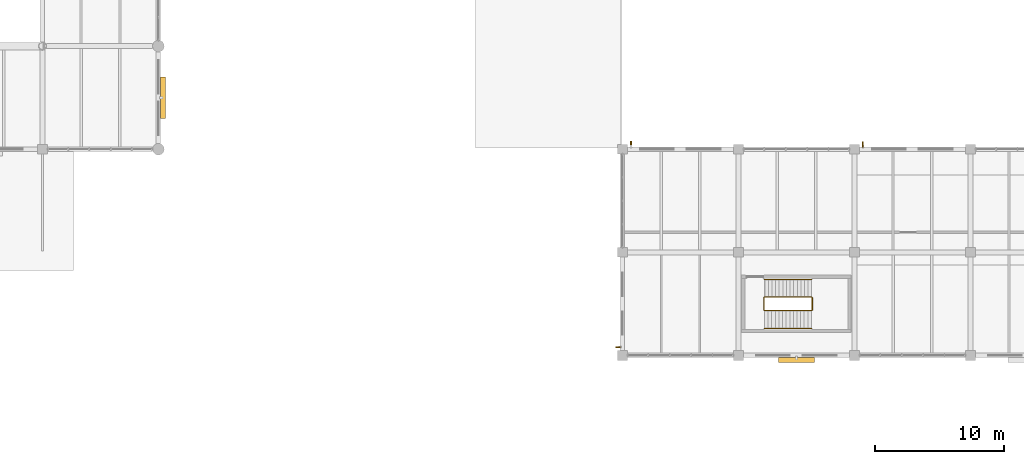
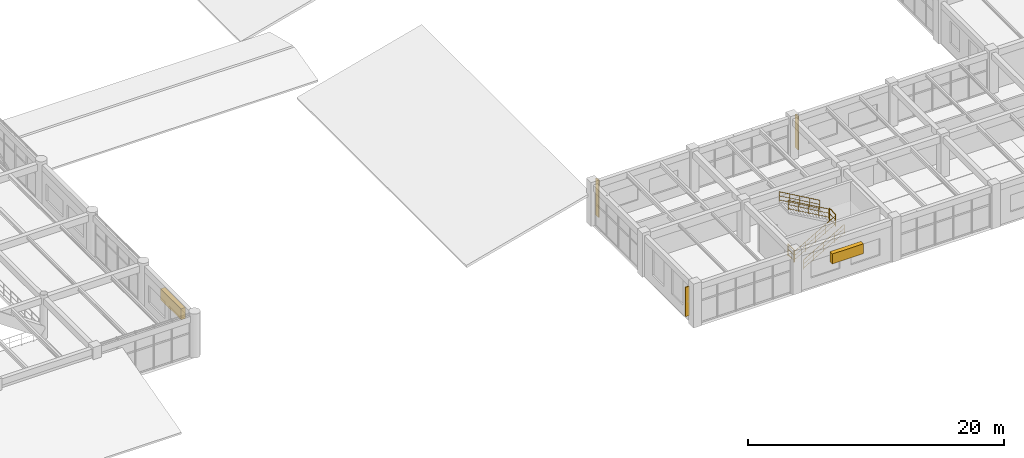
# One storey, part 140 of 148: 6 railings, 5 shading devices.
"""IFC4 building model written with IfcOpenShell, lengths in metres."""

from ifc_helpers import new_model, si_unit, derived_unit, direction, frame, origin, origin_2d, place, context, subcontext, project, spatial, rectangle, circle, extrude, material, type_object, element, save


model = new_model("IFC4")

# Units and contexts
model_context = context("Model", 3, precision=1e-05, world=origin(), true_north=direction((0.0, 1.0)))
body_context = subcontext(model_context, "Body", "Model", "MODEL_VIEW")
ifc_project = project(units=[si_unit("LENGTHUNIT", "METRE"), si_unit("AREAUNIT", "SQUARE_METRE"), si_unit("VOLUMEUNIT", "CUBIC_METRE"), si_unit("PLANEANGLEUNIT", "RADIAN"), si_unit("MASSUNIT", "GRAM", prefix="KILO"), derived_unit("THERMALTRANSMITTANCEUNIT", [(si_unit("MASSUNIT", "GRAM", prefix="KILO"), 1), (si_unit("TIMEUNIT", "SECOND"), -3), (si_unit("THERMODYNAMICTEMPERATUREUNIT", "KELVIN"), -1)])], contexts=[model_context])

# Site, building, storey
site_placement = place(None, origin())
site = spatial("IfcSite", under=ifc_project, at=site_placement, CompositionType="ELEMENT")
building_placement = place(site_placement, origin())
building = spatial("IfcBuilding", under=site, at=building_placement, Name="Zhenchuan Archway Interchange", CompositionType="ELEMENT")
storey_placement = place(building_placement, frame((0.0, 0.0, 10.199951171875)))
storey = spatial("IfcBuildingStorey", under=building, at=storey_placement, Name="L02", CompositionType="ELEMENT", Elevation=10.199951171875)

# Railings
ifc_material_1 = material(Name="Painted Galvanised Steel", Category="steel")
railing_type_1 = type_object("IfcRailingType", Name="RL_GUARD_1150", PredefinedType="GUARDRAIL", material=ifc_material_1)
for number, where, name in (
    (1, (122.72509765625, 11.514892578125, 2.10009765625), "Stair ST-O5 half-landing slot guard (L02)"),
    (2, (118.985107421875, 11.514892578125, 0.0), "Stair ST-O5 floor well guard (L02)"),
):
    element("IfcRailing", number, at=place(storey_placement, frame(where)), inside=storey, type_object=railing_type_1, Name=name, PredefinedType="GUARDRAIL", context=body_context, shape_type="SweptSolid", body=[
        extrude(circle(Radius=0.02392578125, at=origin_2d()), frame((0.0, 0.0, 1.1259765625), z_axis=(0.0, 1.0, 0.0), x_axis=(-1.0, 0.0, 0.0)), (0.0, 0.0, 1.0), 0.97021484375),
        extrude(circle(Radius=0.01611328125, at=origin_2d()), frame((0.0, 0.0, 0.63232421875), z_axis=(0.0, 1.0, 0.0), x_axis=(-1.0, 0.0, 0.0)), (0.0, 0.0, 1.0), 0.97021484375),
        extrude(circle(Radius=0.01611328125, at=origin_2d()), frame((0.0, 0.0, 0.1201171875), z_axis=(0.0, 1.0, 0.0), x_axis=(-1.0, 0.0, 0.0)), (0.0, 0.0, 1.0), 0.97021484375),
        extrude(circle(Radius=0.02099609375, at=origin_2d()), origin(), (0.0, 0.0, 1.0), 1.1259765625),
        extrude(circle(Radius=0.02099609375, at=origin_2d()), frame((0.0, 0.97021484375, 0.0)), (0.0, 0.0, 1.0), 1.1259765625),
    ])
ifc_material_2 = material(Name="Stainless Steel 304", Category="steel")
railing_type_2 = type_object("IfcRailingType", Name="RL_HAND_920", PredefinedType="HANDRAIL", material=ifc_material_2)
for number, where, name in (
    (3, (119.02490234375, 10.10498046875, 0.150146484375), "Stair ST-O5 handrail 1 (L02)"),
    (4, (119.02490234375, 11.47509765625, 0.150146484375), "Stair ST-O5 handrail 2 (L02)"),
):
    element("IfcRailing", number, at=place(storey_placement, frame(where)), inside=storey, type_object=railing_type_2, Name=name, PredefinedType="HANDRAIL", context=body_context, shape_type="SweptSolid", body=[
        extrude(circle(Radius=0.02392578125, at=origin_2d()), frame((0.0, 0.0, 0.89599609375), z_axis=(0.867390923327, 0.0, 0.497627356693), x_axis=(0.0, 1.0, 0.0)), (0.0, 0.0, 1.0), 4.2197265625),
        extrude(circle(Radius=0.01611328125, at=origin_2d()), frame((0.0, 0.0, 0.505859375), z_axis=(0.867390923327, 0.0, 0.497627356693), x_axis=(0.0, 1.0, 0.0)), (0.0, 0.0, 1.0), 4.2197265625),
        extrude(circle(Radius=0.01611328125, at=origin_2d()), frame((0.0, 0.0, 0.1201171875), z_axis=(0.867390923327, 0.0, 0.497627356693), x_axis=(0.0, 1.0, 0.0)), (0.0, 0.0, 1.0), 4.2197265625),
        extrude(circle(Radius=0.02099609375, at=origin_2d()), origin(), (0.0, 0.0, 1.0), 0.89599609375),
        extrude(circle(Radius=0.02099609375, at=origin_2d()), frame((0.9150390625, 0.0, 0.52490234375)), (0.0, 0.0, 1.0), 0.89599609375),
        extrude(circle(Radius=0.02099609375, at=origin_2d()), frame((1.830078125, 0.0, 1.0498046875)), (0.0, 0.0, 1.0), 0.89599609375),
        extrude(circle(Radius=0.02099609375, at=origin_2d()), frame((2.7451171875, 0.0, 1.574951171875)), (0.0, 0.0, 1.0), 0.89599609375),
        extrude(circle(Radius=0.02099609375, at=origin_2d()), frame((3.66015625, 0.0, 2.099853515625)), (0.0, 0.0, 1.0), 0.89599609375),
    ])
for number, where, name in (
    (5, (122.68505859375, 12.52490234375, 2.25), "Stair ST-O5 handrail 3 (L02)"),
    (6, (122.68505859375, 13.89501953125, 2.25), "Stair ST-O5 handrail 4 (L02)"),
):
    element("IfcRailing", number, at=place(storey_placement, frame(where)), inside=storey, type_object=railing_type_2, Name=name, PredefinedType="HANDRAIL", context=body_context, shape_type="SweptSolid", body=[
        extrude(circle(Radius=0.02392578125, at=origin_2d()), frame((0.0, 0.0, 0.89599609375), z_axis=(-0.867365949741, 0.0, 0.49767088445), x_axis=(0.0, -1.0, 0.0)), (0.0, 0.0, 1.0), 4.219970703125),
        extrude(circle(Radius=0.01611328125, at=origin_2d()), frame((0.0, 0.0, 0.505859375), z_axis=(-0.867365949741, 0.0, 0.49767088445), x_axis=(0.0, -1.0, 0.0)), (0.0, 0.0, 1.0), 4.219970703125),
        extrude(circle(Radius=0.01611328125, at=origin_2d()), frame((0.0, 0.0, 0.1201171875), z_axis=(-0.867365949741, 0.0, 0.49767088445), x_axis=(0.0, -1.0, 0.0)), (0.0, 0.0, 1.0), 4.219970703125),
        extrude(circle(Radius=0.02099609375, at=origin_2d()), origin(), (0.0, 0.0, 1.0), 0.89599609375),
        extrude(circle(Radius=0.02099609375, at=origin_2d()), frame((-0.9150390625, 0.0, 0.52490234375)), (0.0, 0.0, 1.0), 0.89599609375),
        extrude(circle(Radius=0.02099609375, at=origin_2d()), frame((-1.830078125, 0.0, 1.050048828125)), (0.0, 0.0, 1.0), 0.89599609375),
        extrude(circle(Radius=0.02099609375, at=origin_2d()), frame((-2.7451171875, 0.0, 1.5751953125)), (0.0, 0.0, 1.0), 0.89599609375),
        extrude(circle(Radius=0.02099609375, at=origin_2d()), frame((-3.66015625, 0.0, 2.10009765625)), (0.0, 0.0, 1.0), 0.89599609375),
    ])

# Shading devices
ifc_material_3 = material(Name="Terracotta Ceramic", Category="masonry")
shading_device_type_1 = type_object("IfcShadingDeviceType", Name="SHD_FIN_1", PredefinedType="USERDEFINED", material=ifc_material_3)
shading_device_1_placement = place(storey_placement, frame((126.653076171875, 24.364013671875, 0.35009765625), z_axis=(0.0, 0.0, 1.0), x_axis=(1.0, 0.0, 0.0)))
element("IfcShadingDevice", 7, at=shading_device_1_placement, inside=storey, type_object=shading_device_type_1, Name="Terracotta vertical solar fin L02-099", ObjectType="FINS", PredefinedType="USERDEFINED", context=body_context, shape_type="SweptSolid", body=[
    extrude(rectangle(XDim=0.090087890625, YDim=0.419921875, at=origin_2d()), origin(), (0.0, 0.0, 1.0), 3.199951171875),
])
shading_device_type_2 = type_object("IfcShadingDeviceType", Name="SHD_FIN_2", PredefinedType="USERDEFINED", material=ifc_material_3)
shading_device_2_placement = place(storey_placement, frame((107.666015625, 8.653076171875, 0.5498046875), z_axis=(0.0, 0.0, 1.0), x_axis=(0.0, 1.0, 0.0)))
element("IfcShadingDevice", 8, at=shading_device_2_placement, inside=storey, type_object=shading_device_type_2, Name="Terracotta vertical solar fin L02-097", ObjectType="FINS", PredefinedType="USERDEFINED", context=body_context, shape_type="SweptSolid", body=[
    extrude(rectangle(XDim=0.080078125, YDim=0.360107421875, at=origin_2d()), origin(), (0.0, 0.0, 1.0), 2.800048828125),
])
shading_device_type_3 = type_object("IfcShadingDeviceType", Name="SHD_FIN_3", PredefinedType="USERDEFINED", material=ifc_material_3)
shading_device_3_placement = place(storey_placement, frame((108.653076171875, 24.384033203125, 0.199951171875), z_axis=(0.0, 0.0, 1.0), x_axis=(1.0, 0.0, 0.0)))
element("IfcShadingDevice", 9, at=shading_device_3_placement, inside=storey, type_object=shading_device_type_3, Name="Terracotta vertical solar fin L02-098", ObjectType="FINS", PredefinedType="USERDEFINED", context=body_context, shape_type="SweptSolid", body=[
    extrude(rectangle(XDim=0.10009765625, YDim=0.4599609375, at=origin_2d()), origin(), (0.0, 0.0, 1.0), 3.5),
])
ifc_material_4 = material(Name="Anodised Aluminium", Category="aluminium")
shading_device_type_4 = type_object("IfcShadingDeviceType", Name="SHD_LOUVRE_1", PredefinedType="JALOUSIE", material=ifc_material_4)
shading_device_4_placement = place(storey_placement, frame((121.5, 7.656005859375, 1.875), z_axis=(0.0, 0.0, 1.0), x_axis=(-1.0, 0.0, 0.0)))
element("IfcShadingDevice", 10, at=shading_device_4_placement, inside=storey, type_object=shading_device_type_4, Name="Monsoon storm-louvre jalousie L02-096", PredefinedType="JALOUSIE", context=body_context, shape_type="SweptSolid", body=[
    extrude(rectangle(XDim=2.800048828125, YDim=0.3798828125, at=origin_2d()), origin(), (0.0, 0.0, 1.0), 0.949951171875),
])
shading_device_type_5 = type_object("IfcShadingDeviceType", Name="SHD_LOUVRE_3", PredefinedType="JALOUSIE", material=ifc_material_4)
shading_device_5_placement = place(storey_placement, frame((72.364013671875, 28.0, 1.8251953125), z_axis=(0.0, 0.0, 1.0), x_axis=(0.0, -1.0, 0.0)))
element("IfcShadingDevice", 11, at=shading_device_5_placement, inside=storey, type_object=shading_device_type_5, Name="Monsoon storm-louvre jalousie L02-074", PredefinedType="JALOUSIE", context=body_context, shape_type="SweptSolid", body=[
    extrude(rectangle(XDim=3.199951171875, YDim=0.39990234375, at=origin_2d()), origin(), (0.0, 0.0, 1.0), 1.050048828125),
])

save(model, "model.ifc")
